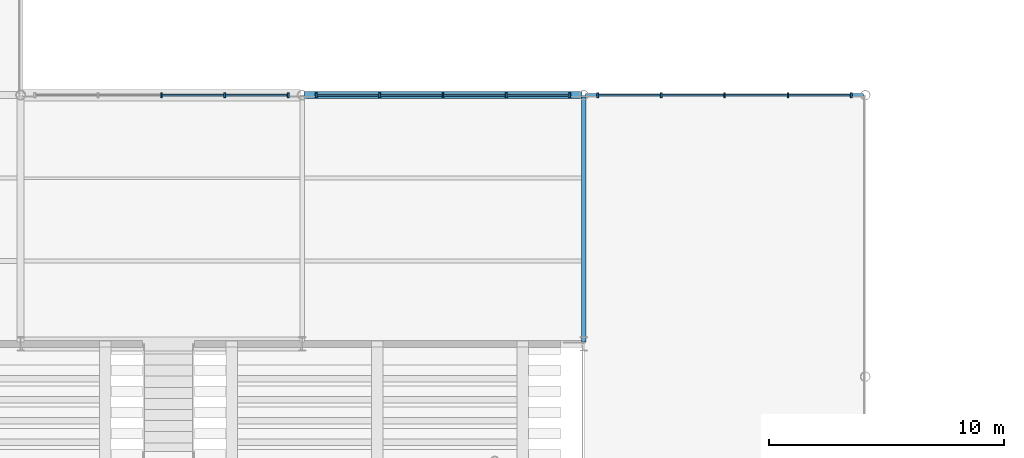
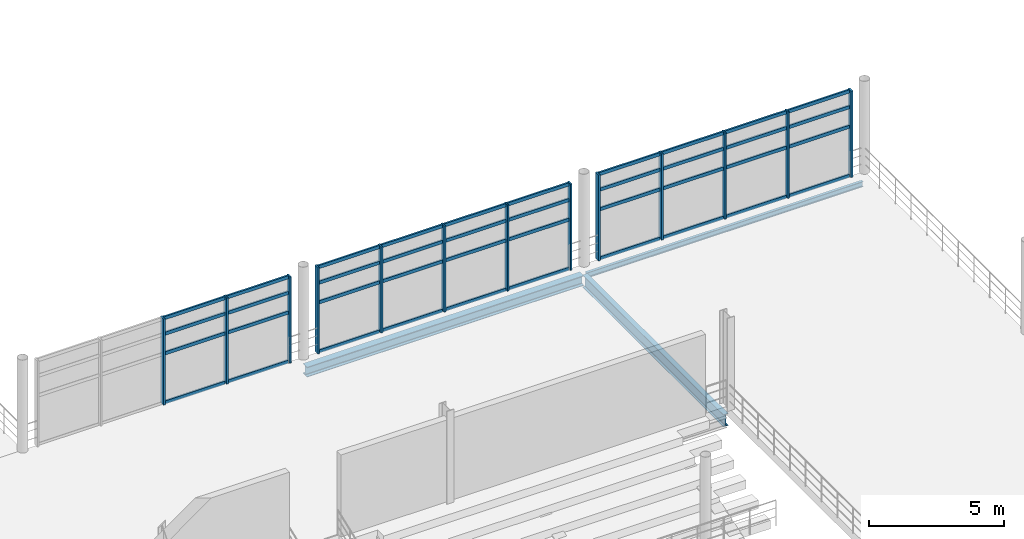
# One storey, part 41 of 89: 53 members, 3 beams, 3 elements without a shape of their own.
"""IFC4 building model written with IfcOpenShell, lengths in metres."""

from ifc_helpers import new_model, si_unit, direction, frame, origin, origin_2d, place, context, subcontext, project, spatial, rectangle, i_section, extrude, material, material_profile, profile_set, type_object, element, aggregate, save


model = new_model("IFC4")

# Units and contexts
model_context = context("Model", 3, precision=1e-05, world=origin(), true_north=direction((0.0, 1.0)))
body_context = subcontext(model_context, "Body", "Model", "MODEL_VIEW")
ifc_project = project(units=[si_unit("LENGTHUNIT", "METRE"), si_unit("AREAUNIT", "SQUARE_METRE"), si_unit("VOLUMEUNIT", "CUBIC_METRE"), si_unit("PLANEANGLEUNIT", "RADIAN"), si_unit("MASSUNIT", "GRAM", prefix="KILO"), si_unit("THERMODYNAMICTEMPERATUREUNIT", "KELVIN"), si_unit("POWERUNIT", "WATT")], contexts=[model_context])

# Site, building, storey
site_placement = place(None, origin())
site = spatial("IfcSite", under=ifc_project, at=site_placement, CompositionType="ELEMENT")
building_placement = place(site_placement, origin())
building = spatial("IfcBuilding", under=site, at=building_placement, Name="Solmara Park Aquatics Centre", CompositionType="ELEMENT")
storey_placement = place(building_placement, frame((0.0, 0.0, 5.39990234375)))
storey = spatial("IfcBuildingStorey", under=building, at=storey_placement, Name="L01", CompositionType="ELEMENT", Elevation=5.39990234375)

# Curtain wall, members
ifc_material_1 = material(Name="Anodised Aluminium Curtain Wall Framing", Category="aluminium")
curtain_wall_type = type_object("IfcCurtainWallType", Name="ARC-CW-SYS05", PredefinedType="USERDEFINED", material=ifc_material_1)
curtain_wall_1_placement = place(storey_placement, origin())
curtain_wall_1 = element("IfcCurtainWall", 1, at=curtain_wall_1_placement, inside=storey, type_object=curtain_wall_type, Name="Curtain Wall CW-022", ObjectType="CURTAIN WALL", PredefinedType="USERDEFINED")
ifc_material_2 = material(Name="Anodised Aluminium Alloy 6063-T6", Category="aluminium")
ifc_material_profile_1 = material_profile(ifc_material_2, rectangle(XDim=0.074951171875, YDim=0.219970703125, at=origin_2d()), Name="ALU MULLION 75x220")
ifc_profile_set_1 = profile_set([ifc_material_profile_1], Name="Anodised Aluminium Alloy 6063-T6")
member_type_1 = type_object("IfcMemberType", Name="ARC-CWM-75x220", PredefinedType="MULLION", material=ifc_profile_set_1)
member_1_placement = place(storey_placement, frame((66.60009765625, 72.60009765625, 0.0), z_axis=(0.0, 0.0, 1.0), x_axis=(1.0, 0.0, 0.0)))
member_1 = element("IfcMember", 2, at=member_1_placement, type_object=member_type_1, Name="CW-022 mullion 3", PredefinedType="MULLION", context=body_context, shape_type="SweptSolid", body=[
    extrude(rectangle(XDim=0.074951171875, YDim=0.219970703125, at=origin_2d()), origin(), (0.0, 0.0, 1.0), 3.900146484375),
])
member_2_placement = place(storey_placement, frame((69.300048828125, 72.60009765625, 0.0), z_axis=(0.0, 0.0, 1.0), x_axis=(1.0, 0.0, 0.0)))
member_2 = element("IfcMember", 3, at=member_2_placement, type_object=member_type_1, Name="CW-022 mullion 4", PredefinedType="MULLION", context=body_context, shape_type="SweptSolid", body=[
    extrude(rectangle(XDim=0.074951171875, YDim=0.219970703125, at=origin_2d()), origin(), (0.0, 0.0, 1.0), 3.900146484375),
])
member_3_placement = place(storey_placement, frame((72.0, 72.60009765625, 0.0), z_axis=(0.0, 0.0, 1.0), x_axis=(1.0, 0.0, 0.0)))
member_3 = element("IfcMember", 4, at=member_3_placement, type_object=member_type_1, Name="CW-022 mullion 5", PredefinedType="MULLION", context=body_context, shape_type="SweptSolid", body=[
    extrude(rectangle(XDim=0.074951171875, YDim=0.219970703125, at=origin_2d()), origin(), (0.0, 0.0, 1.0), 3.900146484375),
])

curtain_wall_2_placement = place(storey_placement, origin())
curtain_wall_2 = element("IfcCurtainWall", 5, at=curtain_wall_2_placement, inside=storey, type_object=curtain_wall_type, Name="Curtain Wall CW-024", ObjectType="CURTAIN WALL", PredefinedType="USERDEFINED")
member_4_placement = place(storey_placement, frame((73.199951171875, 72.60009765625, 0.0), z_axis=(0.0, 0.0, 1.0), x_axis=(1.0, 0.0, 0.0)))
member_4 = element("IfcMember", 6, at=member_4_placement, type_object=member_type_1, Name="CW-024 mullion 1", PredefinedType="MULLION", context=body_context, shape_type="SweptSolid", body=[
    extrude(rectangle(XDim=0.074951171875, YDim=0.219970703125, at=origin_2d()), origin(), (0.0, 0.0, 1.0), 3.900146484375),
])
member_5_placement = place(storey_placement, frame((75.89990234375, 72.60009765625, 0.0), z_axis=(0.0, 0.0, 1.0), x_axis=(1.0, 0.0, 0.0)))
member_5 = element("IfcMember", 7, at=member_5_placement, type_object=member_type_1, Name="CW-024 mullion 2", PredefinedType="MULLION", context=body_context, shape_type="SweptSolid", body=[
    extrude(rectangle(XDim=0.074951171875, YDim=0.219970703125, at=origin_2d()), origin(), (0.0, 0.0, 1.0), 3.900146484375),
])
member_6_placement = place(storey_placement, frame((78.60009765625, 72.60009765625, 0.0), z_axis=(0.0, 0.0, 1.0), x_axis=(1.0, 0.0, 0.0)))
member_6 = element("IfcMember", 8, at=member_6_placement, type_object=member_type_1, Name="CW-024 mullion 3", PredefinedType="MULLION", context=body_context, shape_type="SweptSolid", body=[
    extrude(rectangle(XDim=0.074951171875, YDim=0.219970703125, at=origin_2d()), origin(), (0.0, 0.0, 1.0), 3.900146484375),
])
member_7_placement = place(storey_placement, frame((81.300048828125, 72.60009765625, 0.0), z_axis=(0.0, 0.0, 1.0), x_axis=(1.0, 0.0, 0.0)))
member_7 = element("IfcMember", 9, at=member_7_placement, type_object=member_type_1, Name="CW-024 mullion 4", PredefinedType="MULLION", context=body_context, shape_type="SweptSolid", body=[
    extrude(rectangle(XDim=0.074951171875, YDim=0.219970703125, at=origin_2d()), origin(), (0.0, 0.0, 1.0), 3.900146484375),
])
member_8_placement = place(storey_placement, frame((84.0, 72.60009765625, 0.0), z_axis=(0.0, 0.0, 1.0), x_axis=(1.0, 0.0, 0.0)))
member_8 = element("IfcMember", 10, at=member_8_placement, type_object=member_type_1, Name="CW-024 mullion 5", PredefinedType="MULLION", context=body_context, shape_type="SweptSolid", body=[
    extrude(rectangle(XDim=0.074951171875, YDim=0.219970703125, at=origin_2d()), origin(), (0.0, 0.0, 1.0), 3.900146484375),
])

curtain_wall_3_placement = place(storey_placement, origin())
curtain_wall_3 = element("IfcCurtainWall", 11, at=curtain_wall_3_placement, inside=storey, type_object=curtain_wall_type, Name="Curtain Wall CW-026", ObjectType="CURTAIN WALL", PredefinedType="USERDEFINED")
member_9_placement = place(storey_placement, frame((85.199951171875, 72.60009765625, 0.0), z_axis=(0.0, 0.0, 1.0), x_axis=(1.0, 0.0, 0.0)))
member_9 = element("IfcMember", 12, at=member_9_placement, type_object=member_type_1, Name="CW-026 mullion 1", PredefinedType="MULLION", context=body_context, shape_type="SweptSolid", body=[
    extrude(rectangle(XDim=0.074951171875, YDim=0.219970703125, at=origin_2d()), origin(), (0.0, 0.0, 1.0), 3.900146484375),
])
member_10_placement = place(storey_placement, frame((87.89990234375, 72.60009765625, 0.0), z_axis=(0.0, 0.0, 1.0), x_axis=(1.0, 0.0, 0.0)))
member_10 = element("IfcMember", 13, at=member_10_placement, type_object=member_type_1, Name="CW-026 mullion 2", PredefinedType="MULLION", context=body_context, shape_type="SweptSolid", body=[
    extrude(rectangle(XDim=0.074951171875, YDim=0.219970703125, at=origin_2d()), origin(), (0.0, 0.0, 1.0), 3.900146484375),
])
member_11_placement = place(storey_placement, frame((90.60009765625, 72.60009765625, 0.0), z_axis=(0.0, 0.0, 1.0), x_axis=(1.0, 0.0, 0.0)))
member_11 = element("IfcMember", 14, at=member_11_placement, type_object=member_type_1, Name="CW-026 mullion 3", PredefinedType="MULLION", context=body_context, shape_type="SweptSolid", body=[
    extrude(rectangle(XDim=0.074951171875, YDim=0.219970703125, at=origin_2d()), origin(), (0.0, 0.0, 1.0), 3.900146484375),
])
member_12_placement = place(storey_placement, frame((93.300048828125, 72.60009765625, 0.0), z_axis=(0.0, 0.0, 1.0), x_axis=(1.0, 0.0, 0.0)))
member_12 = element("IfcMember", 15, at=member_12_placement, type_object=member_type_1, Name="CW-026 mullion 4", PredefinedType="MULLION", context=body_context, shape_type="SweptSolid", body=[
    extrude(rectangle(XDim=0.074951171875, YDim=0.219970703125, at=origin_2d()), origin(), (0.0, 0.0, 1.0), 3.900146484375),
])
member_13_placement = place(storey_placement, frame((96.0, 72.60009765625, 0.0), z_axis=(0.0, 0.0, 1.0), x_axis=(1.0, 0.0, 0.0)))
member_13 = element("IfcMember", 16, at=member_13_placement, type_object=member_type_1, Name="CW-026 mullion 5", PredefinedType="MULLION", context=body_context, shape_type="SweptSolid", body=[
    extrude(rectangle(XDim=0.074951171875, YDim=0.219970703125, at=origin_2d()), origin(), (0.0, 0.0, 1.0), 3.900146484375),
])

# Member
ifc_material_profile_2 = material_profile(ifc_material_2, rectangle(XDim=0.074951171875, YDim=0.14990234375, at=origin_2d()), Name="ALU TRANSOM 75x150")
ifc_profile_set_2 = profile_set([ifc_material_profile_2], Name="Anodised Aluminium Alloy 6063-T6")
member_type_2 = type_object("IfcMemberType", Name="ARC-CWT-75x150", PredefinedType="USERDEFINED", material=ifc_profile_set_2)
member_14_placement = place(storey_placement, frame((66.6201171875, 72.60009765625, 0.0400390625), z_axis=(1.0, 0.0, 0.0), x_axis=(0.0, 1.0, 0.0)))
member_14 = element("IfcMember", 17, at=member_14_placement, type_object=member_type_2, Name="CW-022 transom 9", ObjectType="TRANSOM", PredefinedType="USERDEFINED", context=body_context, shape_type="SweptSolid", body=[
    extrude(rectangle(XDim=0.074951171875, YDim=0.14990234375, at=origin_2d()), origin(), (0.0, 0.0, 1.0), 2.619873046875),
])

member_15_placement = place(storey_placement, frame((66.6201171875, 72.60009765625, 2.26220703125), z_axis=(1.0, 0.0, 0.0), x_axis=(0.0, 1.0, 0.0)))
member_15 = element("IfcMember", 18, at=member_15_placement, type_object=member_type_2, Name="CW-022 transom 10", ObjectType="TRANSOM", PredefinedType="USERDEFINED", context=body_context, shape_type="SweptSolid", body=[
    extrude(rectangle(XDim=0.074951171875, YDim=0.14990234375, at=origin_2d()), origin(), (0.0, 0.0, 1.0), 2.619873046875),
])

member_16_placement = place(storey_placement, frame((66.6201171875, 72.60009765625, 3.150146484375), z_axis=(1.0, 0.0, 0.0), x_axis=(0.0, 1.0, 0.0)))
member_16 = element("IfcMember", 19, at=member_16_placement, type_object=member_type_2, Name="CW-022 transom 11", ObjectType="TRANSOM", PredefinedType="USERDEFINED", context=body_context, shape_type="SweptSolid", body=[
    extrude(rectangle(XDim=0.074951171875, YDim=0.14990234375, at=origin_2d()), origin(), (0.0, 0.0, 1.0), 2.619873046875),
])

member_17_placement = place(storey_placement, frame((66.6201171875, 72.60009765625, 3.860107421875), z_axis=(1.0, 0.0, 0.0), x_axis=(0.0, 1.0, 0.0)))
member_17 = element("IfcMember", 20, at=member_17_placement, type_object=member_type_2, Name="CW-022 transom 12", ObjectType="TRANSOM", PredefinedType="USERDEFINED", context=body_context, shape_type="SweptSolid", body=[
    extrude(rectangle(XDim=0.074951171875, YDim=0.14990234375, at=origin_2d()), origin(), (0.0, 0.0, 1.0), 2.619873046875),
])

member_18_placement = place(storey_placement, frame((69.320068359375, 72.60009765625, 0.0400390625), z_axis=(1.0, 0.0, 0.0), x_axis=(0.0, 1.0, 0.0)))
member_18 = element("IfcMember", 21, at=member_18_placement, type_object=member_type_2, Name="CW-022 transom 13", ObjectType="TRANSOM", PredefinedType="USERDEFINED", context=body_context, shape_type="SweptSolid", body=[
    extrude(rectangle(XDim=0.074951171875, YDim=0.14990234375, at=origin_2d()), origin(), (0.0, 0.0, 1.0), 2.619873046875),
])

member_19_placement = place(storey_placement, frame((69.320068359375, 72.60009765625, 2.26220703125), z_axis=(1.0, 0.0, 0.0), x_axis=(0.0, 1.0, 0.0)))
member_19 = element("IfcMember", 22, at=member_19_placement, type_object=member_type_2, Name="CW-022 transom 14", ObjectType="TRANSOM", PredefinedType="USERDEFINED", context=body_context, shape_type="SweptSolid", body=[
    extrude(rectangle(XDim=0.074951171875, YDim=0.14990234375, at=origin_2d()), origin(), (0.0, 0.0, 1.0), 2.619873046875),
])

member_20_placement = place(storey_placement, frame((69.320068359375, 72.60009765625, 3.150146484375), z_axis=(1.0, 0.0, 0.0), x_axis=(0.0, 1.0, 0.0)))
member_20 = element("IfcMember", 23, at=member_20_placement, type_object=member_type_2, Name="CW-022 transom 15", ObjectType="TRANSOM", PredefinedType="USERDEFINED", context=body_context, shape_type="SweptSolid", body=[
    extrude(rectangle(XDim=0.074951171875, YDim=0.14990234375, at=origin_2d()), origin(), (0.0, 0.0, 1.0), 2.619873046875),
])

member_21_placement = place(storey_placement, frame((69.320068359375, 72.60009765625, 3.860107421875), z_axis=(1.0, 0.0, 0.0), x_axis=(0.0, 1.0, 0.0)))
member_21 = element("IfcMember", 24, at=member_21_placement, type_object=member_type_2, Name="CW-022 transom 16", ObjectType="TRANSOM", PredefinedType="USERDEFINED", context=body_context, shape_type="SweptSolid", body=[
    extrude(rectangle(XDim=0.074951171875, YDim=0.14990234375, at=origin_2d()), origin(), (0.0, 0.0, 1.0), 2.619873046875),
])

aggregate(curtain_wall_1, [member_1, member_2, member_3, member_14, member_15, member_16, member_17, member_18, member_19, member_20, member_21])

member_22_placement = place(storey_placement, frame((73.219970703125, 72.60009765625, 0.0400390625), z_axis=(1.0, 0.0, 0.0), x_axis=(0.0, 1.0, 0.0)))
member_22 = element("IfcMember", 25, at=member_22_placement, type_object=member_type_2, Name="CW-024 transom 1", ObjectType="TRANSOM", PredefinedType="USERDEFINED", context=body_context, shape_type="SweptSolid", body=[
    extrude(rectangle(XDim=0.074951171875, YDim=0.14990234375, at=origin_2d()), origin(), (0.0, 0.0, 1.0), 2.6201171875),
])

member_23_placement = place(storey_placement, frame((73.219970703125, 72.60009765625, 2.26220703125), z_axis=(1.0, 0.0, 0.0), x_axis=(0.0, 1.0, 0.0)))
member_23 = element("IfcMember", 26, at=member_23_placement, type_object=member_type_2, Name="CW-024 transom 2", ObjectType="TRANSOM", PredefinedType="USERDEFINED", context=body_context, shape_type="SweptSolid", body=[
    extrude(rectangle(XDim=0.074951171875, YDim=0.14990234375, at=origin_2d()), origin(), (0.0, 0.0, 1.0), 2.6201171875),
])

member_24_placement = place(storey_placement, frame((73.219970703125, 72.60009765625, 3.150146484375), z_axis=(1.0, 0.0, 0.0), x_axis=(0.0, 1.0, 0.0)))
member_24 = element("IfcMember", 27, at=member_24_placement, type_object=member_type_2, Name="CW-024 transom 3", ObjectType="TRANSOM", PredefinedType="USERDEFINED", context=body_context, shape_type="SweptSolid", body=[
    extrude(rectangle(XDim=0.074951171875, YDim=0.14990234375, at=origin_2d()), origin(), (0.0, 0.0, 1.0), 2.6201171875),
])

member_25_placement = place(storey_placement, frame((73.219970703125, 72.60009765625, 3.860107421875), z_axis=(1.0, 0.0, 0.0), x_axis=(0.0, 1.0, 0.0)))
member_25 = element("IfcMember", 28, at=member_25_placement, type_object=member_type_2, Name="CW-024 transom 4", ObjectType="TRANSOM", PredefinedType="USERDEFINED", context=body_context, shape_type="SweptSolid", body=[
    extrude(rectangle(XDim=0.074951171875, YDim=0.14990234375, at=origin_2d()), origin(), (0.0, 0.0, 1.0), 2.6201171875),
])

member_26_placement = place(storey_placement, frame((75.919921875, 72.60009765625, 0.0400390625), z_axis=(1.0, 0.0, 0.0), x_axis=(0.0, 1.0, 0.0)))
member_26 = element("IfcMember", 29, at=member_26_placement, type_object=member_type_2, Name="CW-024 transom 5", ObjectType="TRANSOM", PredefinedType="USERDEFINED", context=body_context, shape_type="SweptSolid", body=[
    extrude(rectangle(XDim=0.074951171875, YDim=0.14990234375, at=origin_2d()), origin(), (0.0, 0.0, 1.0), 2.6201171875),
])

member_27_placement = place(storey_placement, frame((75.919921875, 72.60009765625, 2.26220703125), z_axis=(1.0, 0.0, 0.0), x_axis=(0.0, 1.0, 0.0)))
member_27 = element("IfcMember", 30, at=member_27_placement, type_object=member_type_2, Name="CW-024 transom 6", ObjectType="TRANSOM", PredefinedType="USERDEFINED", context=body_context, shape_type="SweptSolid", body=[
    extrude(rectangle(XDim=0.074951171875, YDim=0.14990234375, at=origin_2d()), origin(), (0.0, 0.0, 1.0), 2.6201171875),
])

member_28_placement = place(storey_placement, frame((75.919921875, 72.60009765625, 3.150146484375), z_axis=(1.0, 0.0, 0.0), x_axis=(0.0, 1.0, 0.0)))
member_28 = element("IfcMember", 31, at=member_28_placement, type_object=member_type_2, Name="CW-024 transom 7", ObjectType="TRANSOM", PredefinedType="USERDEFINED", context=body_context, shape_type="SweptSolid", body=[
    extrude(rectangle(XDim=0.074951171875, YDim=0.14990234375, at=origin_2d()), origin(), (0.0, 0.0, 1.0), 2.6201171875),
])

member_29_placement = place(storey_placement, frame((75.919921875, 72.60009765625, 3.860107421875), z_axis=(1.0, 0.0, 0.0), x_axis=(0.0, 1.0, 0.0)))
member_29 = element("IfcMember", 32, at=member_29_placement, type_object=member_type_2, Name="CW-024 transom 8", ObjectType="TRANSOM", PredefinedType="USERDEFINED", context=body_context, shape_type="SweptSolid", body=[
    extrude(rectangle(XDim=0.074951171875, YDim=0.14990234375, at=origin_2d()), origin(), (0.0, 0.0, 1.0), 2.6201171875),
])

member_30_placement = place(storey_placement, frame((78.6201171875, 72.60009765625, 0.0400390625), z_axis=(1.0, 0.0, 0.0), x_axis=(0.0, 1.0, 0.0)))
member_30 = element("IfcMember", 33, at=member_30_placement, type_object=member_type_2, Name="CW-024 transom 9", ObjectType="TRANSOM", PredefinedType="USERDEFINED", context=body_context, shape_type="SweptSolid", body=[
    extrude(rectangle(XDim=0.074951171875, YDim=0.14990234375, at=origin_2d()), origin(), (0.0, 0.0, 1.0), 2.619873046875),
])

member_31_placement = place(storey_placement, frame((78.6201171875, 72.60009765625, 2.26220703125), z_axis=(1.0, 0.0, 0.0), x_axis=(0.0, 1.0, 0.0)))
member_31 = element("IfcMember", 34, at=member_31_placement, type_object=member_type_2, Name="CW-024 transom 10", ObjectType="TRANSOM", PredefinedType="USERDEFINED", context=body_context, shape_type="SweptSolid", body=[
    extrude(rectangle(XDim=0.074951171875, YDim=0.14990234375, at=origin_2d()), origin(), (0.0, 0.0, 1.0), 2.619873046875),
])

member_32_placement = place(storey_placement, frame((78.6201171875, 72.60009765625, 3.150146484375), z_axis=(1.0, 0.0, 0.0), x_axis=(0.0, 1.0, 0.0)))
member_32 = element("IfcMember", 35, at=member_32_placement, type_object=member_type_2, Name="CW-024 transom 11", ObjectType="TRANSOM", PredefinedType="USERDEFINED", context=body_context, shape_type="SweptSolid", body=[
    extrude(rectangle(XDim=0.074951171875, YDim=0.14990234375, at=origin_2d()), origin(), (0.0, 0.0, 1.0), 2.619873046875),
])

member_33_placement = place(storey_placement, frame((78.6201171875, 72.60009765625, 3.860107421875), z_axis=(1.0, 0.0, 0.0), x_axis=(0.0, 1.0, 0.0)))
member_33 = element("IfcMember", 36, at=member_33_placement, type_object=member_type_2, Name="CW-024 transom 12", ObjectType="TRANSOM", PredefinedType="USERDEFINED", context=body_context, shape_type="SweptSolid", body=[
    extrude(rectangle(XDim=0.074951171875, YDim=0.14990234375, at=origin_2d()), origin(), (0.0, 0.0, 1.0), 2.619873046875),
])

member_34_placement = place(storey_placement, frame((81.320068359375, 72.60009765625, 0.0400390625), z_axis=(1.0, 0.0, 0.0), x_axis=(0.0, 1.0, 0.0)))
member_34 = element("IfcMember", 37, at=member_34_placement, type_object=member_type_2, Name="CW-024 transom 13", ObjectType="TRANSOM", PredefinedType="USERDEFINED", context=body_context, shape_type="SweptSolid", body=[
    extrude(rectangle(XDim=0.074951171875, YDim=0.14990234375, at=origin_2d()), origin(), (0.0, 0.0, 1.0), 2.619873046875),
])

member_35_placement = place(storey_placement, frame((81.320068359375, 72.60009765625, 2.26220703125), z_axis=(1.0, 0.0, 0.0), x_axis=(0.0, 1.0, 0.0)))
member_35 = element("IfcMember", 38, at=member_35_placement, type_object=member_type_2, Name="CW-024 transom 14", ObjectType="TRANSOM", PredefinedType="USERDEFINED", context=body_context, shape_type="SweptSolid", body=[
    extrude(rectangle(XDim=0.074951171875, YDim=0.14990234375, at=origin_2d()), origin(), (0.0, 0.0, 1.0), 2.619873046875),
])

member_36_placement = place(storey_placement, frame((81.320068359375, 72.60009765625, 3.150146484375), z_axis=(1.0, 0.0, 0.0), x_axis=(0.0, 1.0, 0.0)))
member_36 = element("IfcMember", 39, at=member_36_placement, type_object=member_type_2, Name="CW-024 transom 15", ObjectType="TRANSOM", PredefinedType="USERDEFINED", context=body_context, shape_type="SweptSolid", body=[
    extrude(rectangle(XDim=0.074951171875, YDim=0.14990234375, at=origin_2d()), origin(), (0.0, 0.0, 1.0), 2.619873046875),
])

member_37_placement = place(storey_placement, frame((81.320068359375, 72.60009765625, 3.860107421875), z_axis=(1.0, 0.0, 0.0), x_axis=(0.0, 1.0, 0.0)))
member_37 = element("IfcMember", 40, at=member_37_placement, type_object=member_type_2, Name="CW-024 transom 16", ObjectType="TRANSOM", PredefinedType="USERDEFINED", context=body_context, shape_type="SweptSolid", body=[
    extrude(rectangle(XDim=0.074951171875, YDim=0.14990234375, at=origin_2d()), origin(), (0.0, 0.0, 1.0), 2.619873046875),
])

aggregate(curtain_wall_2, [member_4, member_5, member_6, member_7, member_8, member_22, member_23, member_24, member_25, member_26, member_27, member_28, member_29, member_30, member_31, member_32, member_33, member_34, member_35, member_36, member_37])

member_38_placement = place(storey_placement, frame((85.219970703125, 72.60009765625, 0.0400390625), z_axis=(1.0, 0.0, 0.0), x_axis=(0.0, 1.0, 0.0)))
member_38 = element("IfcMember", 41, at=member_38_placement, type_object=member_type_2, Name="CW-026 transom 1", ObjectType="TRANSOM", PredefinedType="USERDEFINED", context=body_context, shape_type="SweptSolid", body=[
    extrude(rectangle(XDim=0.074951171875, YDim=0.14990234375, at=origin_2d()), origin(), (0.0, 0.0, 1.0), 2.6201171875),
])

member_39_placement = place(storey_placement, frame((85.219970703125, 72.60009765625, 2.26220703125), z_axis=(1.0, 0.0, 0.0), x_axis=(0.0, 1.0, 0.0)))
member_39 = element("IfcMember", 42, at=member_39_placement, type_object=member_type_2, Name="CW-026 transom 2", ObjectType="TRANSOM", PredefinedType="USERDEFINED", context=body_context, shape_type="SweptSolid", body=[
    extrude(rectangle(XDim=0.074951171875, YDim=0.14990234375, at=origin_2d()), origin(), (0.0, 0.0, 1.0), 2.6201171875),
])

member_40_placement = place(storey_placement, frame((85.219970703125, 72.60009765625, 3.150146484375), z_axis=(1.0, 0.0, 0.0), x_axis=(0.0, 1.0, 0.0)))
member_40 = element("IfcMember", 43, at=member_40_placement, type_object=member_type_2, Name="CW-026 transom 3", ObjectType="TRANSOM", PredefinedType="USERDEFINED", context=body_context, shape_type="SweptSolid", body=[
    extrude(rectangle(XDim=0.074951171875, YDim=0.14990234375, at=origin_2d()), origin(), (0.0, 0.0, 1.0), 2.6201171875),
])

member_41_placement = place(storey_placement, frame((85.219970703125, 72.60009765625, 3.860107421875), z_axis=(1.0, 0.0, 0.0), x_axis=(0.0, 1.0, 0.0)))
member_41 = element("IfcMember", 44, at=member_41_placement, type_object=member_type_2, Name="CW-026 transom 4", ObjectType="TRANSOM", PredefinedType="USERDEFINED", context=body_context, shape_type="SweptSolid", body=[
    extrude(rectangle(XDim=0.074951171875, YDim=0.14990234375, at=origin_2d()), origin(), (0.0, 0.0, 1.0), 2.6201171875),
])

member_42_placement = place(storey_placement, frame((87.919921875, 72.60009765625, 0.0400390625), z_axis=(1.0, 0.0, 0.0), x_axis=(0.0, 1.0, 0.0)))
member_42 = element("IfcMember", 45, at=member_42_placement, type_object=member_type_2, Name="CW-026 transom 5", ObjectType="TRANSOM", PredefinedType="USERDEFINED", context=body_context, shape_type="SweptSolid", body=[
    extrude(rectangle(XDim=0.074951171875, YDim=0.14990234375, at=origin_2d()), origin(), (0.0, 0.0, 1.0), 2.6201171875),
])

member_43_placement = place(storey_placement, frame((87.919921875, 72.60009765625, 2.26220703125), z_axis=(1.0, 0.0, 0.0), x_axis=(0.0, 1.0, 0.0)))
member_43 = element("IfcMember", 46, at=member_43_placement, type_object=member_type_2, Name="CW-026 transom 6", ObjectType="TRANSOM", PredefinedType="USERDEFINED", context=body_context, shape_type="SweptSolid", body=[
    extrude(rectangle(XDim=0.074951171875, YDim=0.14990234375, at=origin_2d()), origin(), (0.0, 0.0, 1.0), 2.6201171875),
])

member_44_placement = place(storey_placement, frame((87.919921875, 72.60009765625, 3.150146484375), z_axis=(1.0, 0.0, 0.0), x_axis=(0.0, 1.0, 0.0)))
member_44 = element("IfcMember", 47, at=member_44_placement, type_object=member_type_2, Name="CW-026 transom 7", ObjectType="TRANSOM", PredefinedType="USERDEFINED", context=body_context, shape_type="SweptSolid", body=[
    extrude(rectangle(XDim=0.074951171875, YDim=0.14990234375, at=origin_2d()), origin(), (0.0, 0.0, 1.0), 2.6201171875),
])

member_45_placement = place(storey_placement, frame((87.919921875, 72.60009765625, 3.860107421875), z_axis=(1.0, 0.0, 0.0), x_axis=(0.0, 1.0, 0.0)))
member_45 = element("IfcMember", 48, at=member_45_placement, type_object=member_type_2, Name="CW-026 transom 8", ObjectType="TRANSOM", PredefinedType="USERDEFINED", context=body_context, shape_type="SweptSolid", body=[
    extrude(rectangle(XDim=0.074951171875, YDim=0.14990234375, at=origin_2d()), origin(), (0.0, 0.0, 1.0), 2.6201171875),
])

member_46_placement = place(storey_placement, frame((90.6201171875, 72.60009765625, 0.0400390625), z_axis=(1.0, 0.0, 0.0), x_axis=(0.0, 1.0, 0.0)))
member_46 = element("IfcMember", 49, at=member_46_placement, type_object=member_type_2, Name="CW-026 transom 9", ObjectType="TRANSOM", PredefinedType="USERDEFINED", context=body_context, shape_type="SweptSolid", body=[
    extrude(rectangle(XDim=0.074951171875, YDim=0.14990234375, at=origin_2d()), origin(), (0.0, 0.0, 1.0), 2.619873046875),
])

member_47_placement = place(storey_placement, frame((90.6201171875, 72.60009765625, 2.26220703125), z_axis=(1.0, 0.0, 0.0), x_axis=(0.0, 1.0, 0.0)))
member_47 = element("IfcMember", 50, at=member_47_placement, type_object=member_type_2, Name="CW-026 transom 10", ObjectType="TRANSOM", PredefinedType="USERDEFINED", context=body_context, shape_type="SweptSolid", body=[
    extrude(rectangle(XDim=0.074951171875, YDim=0.14990234375, at=origin_2d()), origin(), (0.0, 0.0, 1.0), 2.619873046875),
])

member_48_placement = place(storey_placement, frame((90.6201171875, 72.60009765625, 3.150146484375), z_axis=(1.0, 0.0, 0.0), x_axis=(0.0, 1.0, 0.0)))
member_48 = element("IfcMember", 51, at=member_48_placement, type_object=member_type_2, Name="CW-026 transom 11", ObjectType="TRANSOM", PredefinedType="USERDEFINED", context=body_context, shape_type="SweptSolid", body=[
    extrude(rectangle(XDim=0.074951171875, YDim=0.14990234375, at=origin_2d()), origin(), (0.0, 0.0, 1.0), 2.619873046875),
])

member_49_placement = place(storey_placement, frame((90.6201171875, 72.60009765625, 3.860107421875), z_axis=(1.0, 0.0, 0.0), x_axis=(0.0, 1.0, 0.0)))
member_49 = element("IfcMember", 52, at=member_49_placement, type_object=member_type_2, Name="CW-026 transom 12", ObjectType="TRANSOM", PredefinedType="USERDEFINED", context=body_context, shape_type="SweptSolid", body=[
    extrude(rectangle(XDim=0.074951171875, YDim=0.14990234375, at=origin_2d()), origin(), (0.0, 0.0, 1.0), 2.619873046875),
])

member_50_placement = place(storey_placement, frame((93.320068359375, 72.60009765625, 0.0400390625), z_axis=(1.0, 0.0, 0.0), x_axis=(0.0, 1.0, 0.0)))
member_50 = element("IfcMember", 53, at=member_50_placement, type_object=member_type_2, Name="CW-026 transom 13", ObjectType="TRANSOM", PredefinedType="USERDEFINED", context=body_context, shape_type="SweptSolid", body=[
    extrude(rectangle(XDim=0.074951171875, YDim=0.14990234375, at=origin_2d()), origin(), (0.0, 0.0, 1.0), 2.619873046875),
])

member_51_placement = place(storey_placement, frame((93.320068359375, 72.60009765625, 2.26220703125), z_axis=(1.0, 0.0, 0.0), x_axis=(0.0, 1.0, 0.0)))
member_51 = element("IfcMember", 54, at=member_51_placement, type_object=member_type_2, Name="CW-026 transom 14", ObjectType="TRANSOM", PredefinedType="USERDEFINED", context=body_context, shape_type="SweptSolid", body=[
    extrude(rectangle(XDim=0.074951171875, YDim=0.14990234375, at=origin_2d()), origin(), (0.0, 0.0, 1.0), 2.619873046875),
])

member_52_placement = place(storey_placement, frame((93.320068359375, 72.60009765625, 3.150146484375), z_axis=(1.0, 0.0, 0.0), x_axis=(0.0, 1.0, 0.0)))
member_52 = element("IfcMember", 55, at=member_52_placement, type_object=member_type_2, Name="CW-026 transom 15", ObjectType="TRANSOM", PredefinedType="USERDEFINED", context=body_context, shape_type="SweptSolid", body=[
    extrude(rectangle(XDim=0.074951171875, YDim=0.14990234375, at=origin_2d()), origin(), (0.0, 0.0, 1.0), 2.619873046875),
])

member_53_placement = place(storey_placement, frame((93.320068359375, 72.60009765625, 3.860107421875), z_axis=(1.0, 0.0, 0.0), x_axis=(0.0, 1.0, 0.0)))
member_53 = element("IfcMember", 56, at=member_53_placement, type_object=member_type_2, Name="CW-026 transom 16", ObjectType="TRANSOM", PredefinedType="USERDEFINED", context=body_context, shape_type="SweptSolid", body=[
    extrude(rectangle(XDim=0.074951171875, YDim=0.14990234375, at=origin_2d()), origin(), (0.0, 0.0, 1.0), 2.619873046875),
])

aggregate(curtain_wall_3, [member_9, member_10, member_11, member_12, member_13, member_38, member_39, member_40, member_41, member_42, member_43, member_44, member_45, member_46, member_47, member_48, member_49, member_50, member_51, member_52, member_53])

# Beams
ifc_material_3 = material(Name="Structural Steel S355", Category="steel")
ifc_material_profile_3 = material_profile(ifc_material_3, i_section(OverallWidth=0.300048828125, OverallDepth=0.449951171875, WebThickness=0.013916015625, FlangeThickness=0.02587890625, FilletRadius=0.027099609375, at=origin_2d()), Name="HEB 450")
ifc_profile_set_3 = profile_set([ifc_material_profile_3], Name="Structural Steel S355")
beam_type_1 = type_object("IfcBeamType", Name="STR-BM-HEB450", PredefinedType="BEAM", material=ifc_profile_set_3)
beam_1_placement = place(storey_placement, frame((72.679931640625, 72.60009765625, -0.625), z_axis=(1.0, 0.0, 0.0), x_axis=(0.0, 1.0, 0.0)))
element("IfcBeam", 57, at=beam_1_placement, inside=storey, type_object=beam_type_1, Name="Girder BM-L01-0187", PredefinedType="BEAM", context=body_context, shape_type="SweptSolid", body=[
    extrude(i_section(OverallWidth=0.300048828125, OverallDepth=0.449951171875, WebThickness=0.013916015625, FlangeThickness=0.02587890625, FilletRadius=0.027099609375, at=origin_2d()), origin(), (0.0, 0.0, 1.0), 11.840087890625),
])
ifc_material_profile_4 = material_profile(ifc_material_3, i_section(OverallWidth=0.2099609375, OverallDepth=0.550048828125, WebThickness=0.010986328125, FlangeThickness=0.01708984375, FilletRadius=0.02392578125, at=origin_2d()), Name="IPE 550")
ifc_profile_set_4 = profile_set([ifc_material_profile_4], Name="Structural Steel S355")
beam_type_2 = type_object("IfcBeamType", Name="STR-BM-IPE550", PredefinedType="BEAM", material=ifc_profile_set_4)
beam_2_placement = place(storey_placement, frame((84.60009765625, 62.080078125, -0.6748046875), z_axis=(0.0, 1.0, 0.0), x_axis=(-1.0, 0.0, 0.0)))
element("IfcBeam", 58, at=beam_2_placement, inside=storey, type_object=beam_type_2, Name="Girder BM-L01-0200", PredefinedType="BEAM", context=body_context, shape_type="SweptSolid", body=[
    extrude(i_section(OverallWidth=0.2099609375, OverallDepth=0.550048828125, WebThickness=0.010986328125, FlangeThickness=0.01708984375, FilletRadius=0.02392578125, at=origin_2d()), origin(), (0.0, 0.0, 1.0), 10.43994140625),
])
ifc_material_profile_5 = material_profile(ifc_material_3, i_section(OverallWidth=0.1201171875, OverallDepth=0.239990234375, WebThickness=0.006103515625, FlangeThickness=0.009765625, FilletRadius=0.014892578125, at=origin_2d()), Name="IPE 240")
ifc_profile_set_5 = profile_set([ifc_material_profile_5], Name="Structural Steel S355")
beam_type_3 = type_object("IfcBeamType", Name="STR-SPD-IPE240", PredefinedType="SPANDREL", material=ifc_profile_set_5)
beam_3_placement = place(storey_placement, frame((84.679931640625, 72.60009765625, -0.52001953125), z_axis=(1.0, 0.0, 0.0), x_axis=(0.0, 1.0, 0.0)))
element("IfcBeam", 59, at=beam_3_placement, inside=storey, type_object=beam_type_3, Name="Girder BM-L01-0188", PredefinedType="SPANDREL", context=body_context, shape_type="SweptSolid", body=[
    extrude(i_section(OverallWidth=0.1201171875, OverallDepth=0.239990234375, WebThickness=0.006103515625, FlangeThickness=0.009765625, FilletRadius=0.014892578125, at=origin_2d()), origin(), (0.0, 0.0, 1.0), 11.840087890625),
])

save(model, "model.ifc")
